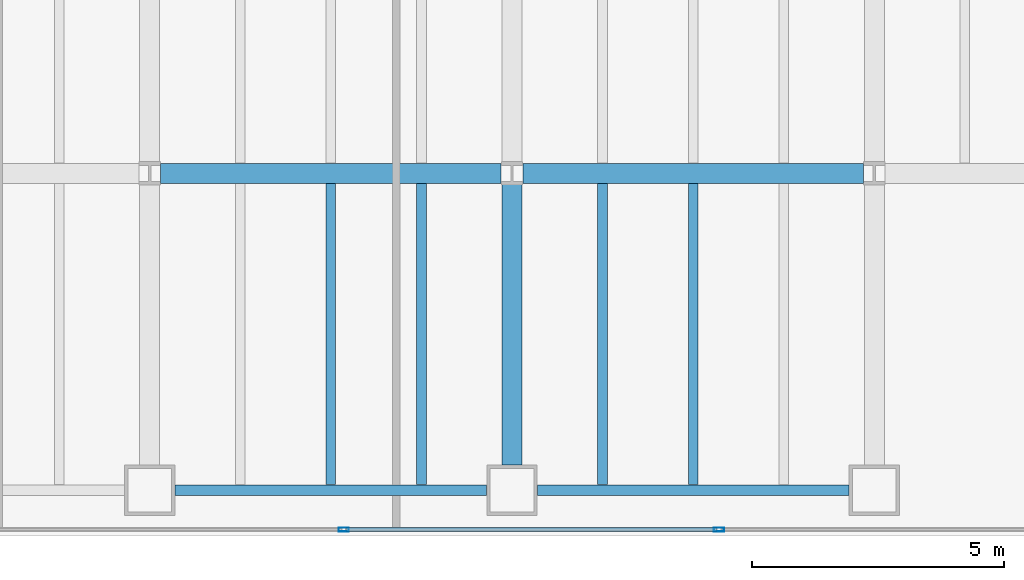
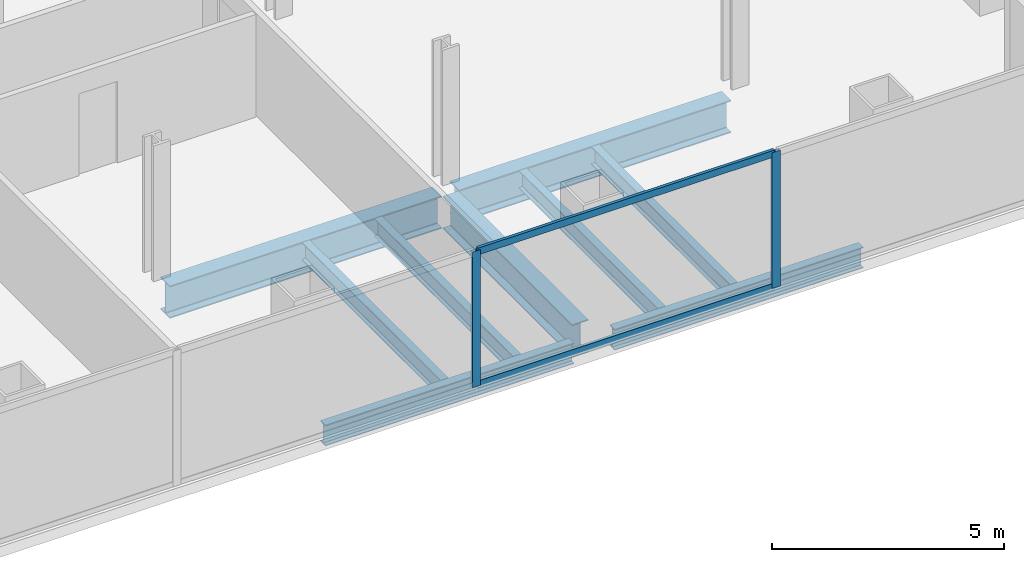
# One storey, part 7 of 23: 9 beams, 4 members, 1 element without a shape of its own.
"""IFC4 building model written with IfcOpenShell, lengths in metres."""

from ifc_helpers import new_model, si_unit, direction, frame, origin, origin_2d, place, context, subcontext, project, spatial, hollow_rectangle, i_section, extrude, material, material_profile, profile_set, type_object, element, aggregate, save


model = new_model("IFC4")

# Units and contexts
model_context = context("Model", 3, precision=1e-05, world=origin(), true_north=direction((0.0, 1.0)))
body_context = subcontext(model_context, "Body", "Model", "MODEL_VIEW")
ifc_project = project(units=[si_unit("LENGTHUNIT", "METRE"), si_unit("AREAUNIT", "SQUARE_METRE"), si_unit("VOLUMEUNIT", "CUBIC_METRE"), si_unit("PLANEANGLEUNIT", "RADIAN"), si_unit("MASSUNIT", "GRAM", prefix="KILO")], contexts=[model_context])

# Site, building, storey
site_placement = place(None, origin())
site = spatial("IfcSite", under=ifc_project, at=site_placement, CompositionType="ELEMENT")
building_placement = place(site_placement, origin())
building = spatial("IfcBuilding", under=site, at=building_placement, Name="Cobrela Telecom Tower", CompositionType="ELEMENT")
storey_placement = place(building_placement, frame((0.0, 0.0, 65.800048828125)))
storey = spatial("IfcBuildingStorey", under=building, at=storey_placement, Name="L16", CompositionType="ELEMENT", Elevation=65.800048828125)

# Beams
ifc_material_1 = material(Name="Steel ASTM A992 Grade 50", Category="steel")
ifc_material_profile_1 = material_profile(ifc_material_1, i_section(OverallWidth=0.39892578125, OverallDepth=0.85595703125, WebThickness=0.018310546875, FlangeThickness=0.029296875, FilletRadius=0.02001953125, at=origin_2d()), Name="W33X201")
ifc_profile_set_1 = profile_set([ifc_material_profile_1], Name="Steel ASTM A992 Grade 50")
beam_type_1 = type_object("IfcBeamType", Name="BM-GIRD-03", PredefinedType="USERDEFINED", material=ifc_profile_set_1)
for number, where, z_axis, x_axis, name in (
    (1, (29.01611328125, 7.199951171875, -0.7080078125), (1.0, 0.0, 0.0), (0.0, 1.0, 0.0), "L16 Primary Girder X10"),
    (2, (36.216064453125, 7.199951171875, -0.7080078125), (1.0, 0.0, 0.0), (0.0, 1.0, 0.0), "L16 Primary Girder X11"),
):
    element("IfcBeam", number, at=place(storey_placement, frame(where, z_axis=z_axis, x_axis=x_axis)), inside=storey, type_object=beam_type_1, Name=name, ObjectType="GIRDER", PredefinedType="USERDEFINED", context=body_context, shape_type="SweptSolid", body=[
        extrude(i_section(OverallWidth=0.39892578125, OverallDepth=0.85595703125, WebThickness=0.018310546875, FlangeThickness=0.029296875, FilletRadius=0.02001953125, at=origin_2d()), origin(), (0.0, 0.0, 1.0), 6.767822265625),
    ])
beam_placement = place(storey_placement, frame((36.0, 1.405029296875, -0.7080078125), z_axis=(0.0, 1.0, 0.0), x_axis=(-1.0, 0.0, 0.0)))
element("IfcBeam", 3, at=beam_placement, inside=storey, type_object=beam_type_1, Name="L16 Primary Girder Y50", ObjectType="GIRDER", PredefinedType="USERDEFINED", context=body_context, shape_type="SweptSolid", body=[
    extrude(i_section(OverallWidth=0.39892578125, OverallDepth=0.85595703125, WebThickness=0.018310546875, FlangeThickness=0.029296875, FilletRadius=0.02001953125, at=origin_2d()), origin(), (0.0, 0.0, 1.0), 5.578857421875),
])
ifc_material_profile_2 = material_profile(ifc_material_1, i_section(OverallWidth=0.193115234375, OverallDepth=0.467041015625, WebThickness=0.011474609375, FlangeThickness=0.01904296875, FilletRadius=0.012939453125, at=origin_2d()), Name="W18X65")
ifc_profile_set_2 = profile_set([ifc_material_profile_2], Name="Steel ASTM A992 Grade 50")
beam_type_2 = type_object("IfcBeamType", Name="BM-JOIST-03", PredefinedType="JOIST", material=ifc_profile_set_2)
for number, where, z_axis, x_axis, name in (
    (4, (32.39990234375, 1.011474609375, -0.513427734375), (0.0, 1.0, 0.0), (-1.0, 0.0, 0.0), "L16 Secondary Composite Floor Beam J44"),
    (5, (34.199951171875, 1.011474609375, -0.513427734375), (0.0, 1.0, 0.0), (-1.0, 0.0, 0.0), "L16 Secondary Composite Floor Beam J47"),
    (6, (37.800048828125, 1.011474609375, -0.513427734375), (0.0, 1.0, 0.0), (-1.0, 0.0, 0.0), "L16 Secondary Composite Floor Beam J50"),
    (7, (39.60009765625, 1.011474609375, -0.513427734375), (0.0, 1.0, 0.0), (-1.0, 0.0, 0.0), "L16 Secondary Composite Floor Beam J53"),
):
    element("IfcBeam", number, at=place(storey_placement, frame(where, z_axis=z_axis, x_axis=x_axis)), inside=storey, type_object=beam_type_2, Name=name, PredefinedType="JOIST", context=body_context, shape_type="SweptSolid", body=[
        extrude(i_section(OverallWidth=0.193115234375, OverallDepth=0.467041015625, WebThickness=0.011474609375, FlangeThickness=0.01904296875, FilletRadius=0.012939453125, at=origin_2d()), origin(), (0.0, 0.0, 1.0), 5.984130859375),
    ])
ifc_material_profile_3 = material_profile(ifc_material_1, i_section(OverallWidth=0.212890625, OverallDepth=0.549072265625, WebThickness=0.0146484375, FlangeThickness=0.023681640625, FilletRadius=0.013916015625, at=origin_2d()), Name="W21X93")
ifc_profile_set_3 = profile_set([ifc_material_profile_3], Name="Steel ASTM A992 Grade 50")
beam_type_3 = type_object("IfcBeamType", Name="BM-SPAND-03", PredefinedType="SPANDREL", material=ifc_profile_set_3)
for number, where, z_axis, x_axis, name in (
    (8, (29.304931640625, 0.89990234375, -0.554443359375), (1.0, 0.0, 0.0), (0.0, 1.0, 0.0), "L16 Perimeter Spandrel X04"),
    (9, (36.5048828125, 0.89990234375, -0.554443359375), (1.0, 0.0, 0.0), (0.0, 1.0, 0.0), "L16 Perimeter Spandrel X05"),
):
    element("IfcBeam", number, at=place(storey_placement, frame(where, z_axis=z_axis, x_axis=x_axis)), inside=storey, type_object=beam_type_3, Name=name, PredefinedType="SPANDREL", context=body_context, shape_type="SweptSolid", body=[
        extrude(i_section(OverallWidth=0.212890625, OverallDepth=0.549072265625, WebThickness=0.0146484375, FlangeThickness=0.023681640625, FilletRadius=0.013916015625, at=origin_2d()), origin(), (0.0, 0.0, 1.0), 6.190185546875),
    ])

# Curtain wall, members
ifc_material_2 = material(Name="Anodized Bronze Aluminium 6063-T6", Category="aluminium")
curtain_wall_type = type_object("IfcCurtainWallType", Name="CW-SYS-DATA", PredefinedType="USERDEFINED", material=ifc_material_2)
curtain_wall_placement = place(storey_placement, origin())
curtain_wall = element("IfcCurtainWall", 10, at=curtain_wall_placement, inside=storey, type_object=curtain_wall_type, Name="L16 Unitised Bronze Curtain Wall 17", ObjectType="UNITISED CURTAIN WALL", PredefinedType="USERDEFINED")
ifc_material_profile_4 = material_profile(ifc_material_2, hollow_rectangle(XDim=0.080078125, YDim=0.199951171875, WallThickness=0.00390625, at=origin_2d()), Name="ALU 80x200x4")
ifc_profile_set_4 = profile_set([ifc_material_profile_4], Name="Anodized Bronze Aluminium 6063-T6")
member_type_1 = type_object("IfcMemberType", Name="CW-SYS-DATA-MUL", PredefinedType="MULLION", material=ifc_profile_set_4)
member_1_placement = place(storey_placement, frame((40.11328125, 0.1201171875, 0.0), z_axis=(0.0, 0.0, 1.0), x_axis=(0.0, -1.0, 0.0)))
member_1 = element("IfcMember", 11, at=member_1_placement, type_object=member_type_1, Name="CW-DATA mullion 2", PredefinedType="MULLION", context=body_context, shape_type="SweptSolid", body=[
    extrude(hollow_rectangle(XDim=0.080078125, YDim=0.199951171875, WallThickness=0.00390625, at=origin_2d()), origin(), (0.0, 0.0, 1.0), 3.570068359375),
])
member_2_placement = place(storey_placement, frame((32.65673828125, 0.1201171875, 0.0), z_axis=(0.0, 0.0, 1.0), x_axis=(0.0, -1.0, 0.0)))
member_2 = element("IfcMember", 12, at=member_2_placement, type_object=member_type_1, Name="CW-DATA mullion 3", PredefinedType="MULLION", context=body_context, shape_type="SweptSolid", body=[
    extrude(hollow_rectangle(XDim=0.080078125, YDim=0.199951171875, WallThickness=0.00390625, at=origin_2d()), origin(), (0.0, 0.0, 1.0), 3.570068359375),
])
ifc_material_profile_5 = material_profile(ifc_material_2, hollow_rectangle(XDim=0.074951171875, YDim=0.179931640625, WallThickness=0.00390625, at=origin_2d()), Name="ALU 75x180x4")
ifc_profile_set_5 = profile_set([ifc_material_profile_5], Name="Anodized Bronze Aluminium 6063-T6")
member_type_2 = type_object("IfcMemberType", Name="CW-SYS-DATA-TRN", PredefinedType="USERDEFINED", material=ifc_profile_set_5)
member_3_placement = place(storey_placement, frame((40.0732421875, 0.1201171875, 0.037353515625), z_axis=(-1.0, 0.0, 0.0), x_axis=(0.0, -1.0, 0.0)))
member_3 = element("IfcMember", 13, at=member_3_placement, type_object=member_type_2, Name="CW-DATA transom 2.1", ObjectType="TRANSOM", PredefinedType="USERDEFINED", context=body_context, shape_type="SweptSolid", body=[
    extrude(hollow_rectangle(XDim=0.074951171875, YDim=0.179931640625, WallThickness=0.00390625, at=origin_2d()), origin(), (0.0, 0.0, 1.0), 7.37646484375),
])
member_4_placement = place(storey_placement, frame((40.0732421875, 0.1201171875, 3.532470703125), z_axis=(-1.0, 0.0, 0.0), x_axis=(0.0, -1.0, 0.0)))
member_4 = element("IfcMember", 14, at=member_4_placement, type_object=member_type_2, Name="CW-DATA transom 2.2", ObjectType="TRANSOM", PredefinedType="USERDEFINED", context=body_context, shape_type="SweptSolid", body=[
    extrude(hollow_rectangle(XDim=0.074951171875, YDim=0.179931640625, WallThickness=0.00390625, at=origin_2d()), origin(), (0.0, 0.0, 1.0), 7.37646484375),
])
aggregate(curtain_wall, [member_1, member_2, member_3, member_4])

save(model, "model.ifc")
